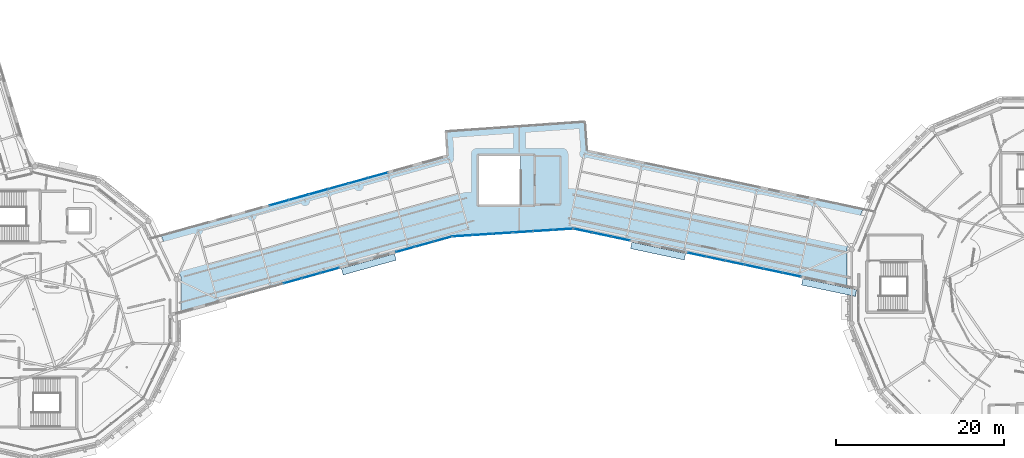
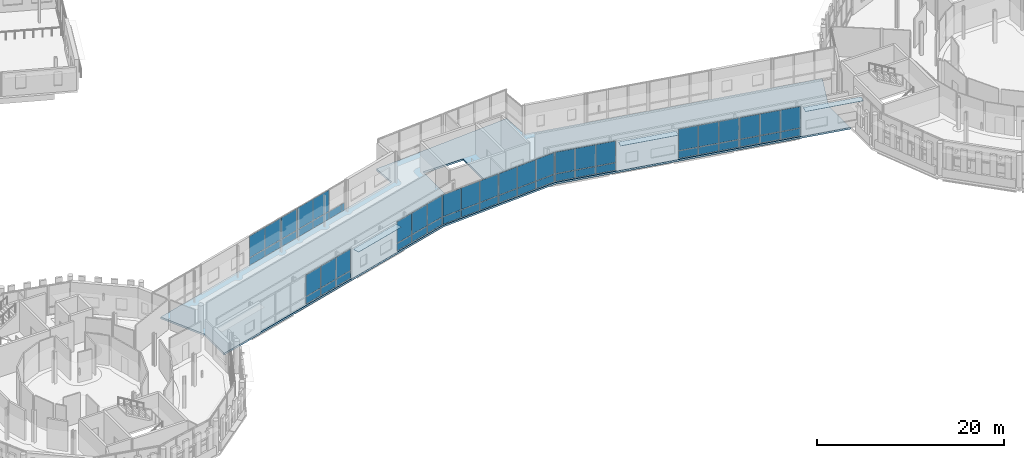
# One storey, part 72 of 125: 56 plates, 1 slab, 9 elements without a shape of their own.
"""IFC4 building model written with IfcOpenShell, lengths in metres."""

from ifc_helpers import new_model, si_unit, direction, frame, origin, origin_2d, place, context, subcontext, project, spatial, polyline, rectangle, outline, extrude, material, layer, layer_set, type_object, element, aggregate, save


model = new_model("IFC4")

# Units and contexts
model_context = context("Model", 3, precision=1e-05, world=origin(), true_north=direction((0.0, 1.0)))
body_context = subcontext(model_context, "Body", "Model", "MODEL_VIEW")
ifc_project = project(units=[si_unit("LENGTHUNIT", "METRE"), si_unit("AREAUNIT", "SQUARE_METRE"), si_unit("VOLUMEUNIT", "CUBIC_METRE"), si_unit("PLANEANGLEUNIT", "RADIAN"), si_unit("MASSUNIT", "GRAM", prefix="KILO")], contexts=[model_context])

# Site, building, storey
site_placement = place(None, origin())
site = spatial("IfcSite", under=ifc_project, at=site_placement, CompositionType="ELEMENT")
building_placement = place(site_placement, origin())
building = spatial("IfcBuilding", under=site, at=building_placement, Name="Wrenclough Park School", CompositionType="ELEMENT")
storey_placement = place(building_placement, frame((0.0, 0.0, 4.199951171875)))
storey = spatial("IfcBuildingStorey", under=building, at=storey_placement, Name="L01", CompositionType="ELEMENT", Elevation=4.199951171875)

# Curtain wall, plates
ifc_material_1 = material(Name="Thermally broken aluminium and low-e glass curtain wall", Category="aluminium")
curtain_wall_type_1 = type_object("IfcCurtainWallType", Name="ENV-CW-05", PredefinedType="USERDEFINED", material=ifc_material_1)
curtain_wall_1_placement = place(storey_placement, origin())
curtain_wall_1 = element("IfcCurtainWall", 1, at=curtain_wall_1_placement, inside=storey, type_object=curtain_wall_type_1, Name="L01 recessed curtain wall assembly 132", ObjectType="CURTAIN WALL", PredefinedType="USERDEFINED")
ifc_material_2 = material(Name="Double-glazed solar-control low-e glass", Category="glass")
ifc_layer_1 = layer(ifc_material_2, 0.02587890625)
ifc_layer_set_1 = layer_set([ifc_layer_1], Name="Double-glazed solar-control low-e glass")
plate_type_1 = type_object("IfcPlateType", Name="ENV-CWP-GL26", PredefinedType="CURTAIN_PANEL", material=ifc_layer_set_1)
plate_1_placement = place(storey_placement, frame((119.603759765625, 29.304443359375, 0.06005859375), z_axis=(0.0, 0.0, 1.0), x_axis=(-0.978380117237, 0.206814763004, 0.0)))
plate_1 = element("IfcPlate", 2, at=plate_1_placement, type_object=plate_type_1, Name="CW-05 panel 1.1", PredefinedType="CURTAIN_PANEL", context=body_context, shape_type="SweptSolid", body=[
    extrude(rectangle(XDim=2.213623046875, YDim=0.02587890625, at=origin_2d()), origin(), (0.0, 0.0, 1.0), 0.9599609375),
])
plate_2_placement = place(storey_placement, frame((119.603759765625, 29.304443359375, 1.080078125), z_axis=(0.0, 0.0, 1.0), x_axis=(-0.978380117237, 0.206814763004, 0.0)))
plate_2 = element("IfcPlate", 3, at=plate_2_placement, type_object=plate_type_1, Name="CW-05 panel 1.2", PredefinedType="CURTAIN_PANEL", context=body_context, shape_type="SweptSolid", body=[
    extrude(rectangle(XDim=2.213623046875, YDim=0.02587890625, at=origin_2d()), origin(), (0.0, 0.0, 1.0), 2.800048828125),
])
plate_3_placement = place(storey_placement, frame((117.364501953125, 29.77783203125, 0.06005859375), z_axis=(0.0, 0.0, 1.0), x_axis=(-0.978380117237, 0.206814763004, 0.0)))
plate_3 = element("IfcPlate", 4, at=plate_3_placement, type_object=plate_type_1, Name="CW-05 panel 2.1", PredefinedType="CURTAIN_PANEL", context=body_context, shape_type="SweptSolid", body=[
    extrude(rectangle(XDim=2.24365234375, YDim=0.02587890625, at=origin_2d()), origin(), (0.0, 0.0, 1.0), 0.9599609375),
])
plate_4_placement = place(storey_placement, frame((117.364501953125, 29.77783203125, 1.080078125), z_axis=(0.0, 0.0, 1.0), x_axis=(-0.978380117237, 0.206814763004, 0.0)))
plate_4 = element("IfcPlate", 5, at=plate_4_placement, type_object=plate_type_1, Name="CW-05 panel 2.2", PredefinedType="CURTAIN_PANEL", context=body_context, shape_type="SweptSolid", body=[
    extrude(rectangle(XDim=2.24365234375, YDim=0.02587890625, at=origin_2d()), origin(), (0.0, 0.0, 1.0), 2.800048828125),
])
plate_5_placement = place(storey_placement, frame((115.12548828125, 30.2509765625, 0.06005859375), z_axis=(0.0, 0.0, 1.0), x_axis=(-0.978380117237, 0.206814763004, 0.0)))
plate_5 = element("IfcPlate", 6, at=plate_5_placement, type_object=plate_type_1, Name="CW-05 panel 3.1", PredefinedType="CURTAIN_PANEL", context=body_context, shape_type="SweptSolid", body=[
    extrude(rectangle(XDim=2.213623046875, YDim=0.02587890625, at=origin_2d()), origin(), (0.0, 0.0, 1.0), 0.9599609375),
])
plate_6_placement = place(storey_placement, frame((115.12548828125, 30.2509765625, 1.080078125), z_axis=(0.0, 0.0, 1.0), x_axis=(-0.978380117237, 0.206814763004, 0.0)))
plate_6 = element("IfcPlate", 7, at=plate_6_placement, type_object=plate_type_1, Name="CW-05 panel 3.2", PredefinedType="CURTAIN_PANEL", context=body_context, shape_type="SweptSolid", body=[
    extrude(rectangle(XDim=2.213623046875, YDim=0.02587890625, at=origin_2d()), origin(), (0.0, 0.0, 1.0), 2.800048828125),
])
aggregate(curtain_wall_1, [plate_1, plate_2, plate_3, plate_4, plate_5, plate_6])

curtain_wall_type_2 = type_object("IfcCurtainWallType", Name="ENV-CW-09", PredefinedType="USERDEFINED", material=ifc_material_1)
curtain_wall_2_placement = place(storey_placement, origin())
curtain_wall_2 = element("IfcCurtainWall", 8, at=curtain_wall_2_placement, inside=storey, type_object=curtain_wall_type_2, Name="L01 recessed curtain wall assembly 136", ObjectType="CURTAIN WALL", PredefinedType="USERDEFINED")
plate_7_placement = place(storey_placement, frame((84.9072265625, 32.112060546875, 0.06494140625), z_axis=(0.0, 0.0, 1.0), x_axis=(-0.963398731282, -0.268072536011, 0.0)))
plate_7 = element("IfcPlate", 9, at=plate_7_placement, type_object=plate_type_1, Name="CW-09 panel 1.1", PredefinedType="CURTAIN_PANEL", context=body_context, shape_type="SweptSolid", body=[
    extrude(rectangle(XDim=2.21630859375, YDim=0.02587890625, at=origin_2d()), origin(), (0.0, 0.0, 1.0), 0.952392578125),
])
plate_8_placement = place(storey_placement, frame((84.9072265625, 32.112060546875, 1.08251953125), z_axis=(0.0, 0.0, 1.0), x_axis=(-0.963398731282, -0.268072536011, 0.0)))
plate_8 = element("IfcPlate", 10, at=plate_8_placement, type_object=plate_type_1, Name="CW-09 panel 1.2", PredefinedType="CURTAIN_PANEL", context=body_context, shape_type="SweptSolid", body=[
    extrude(rectangle(XDim=2.21630859375, YDim=0.02587890625, at=origin_2d()), origin(), (0.0, 0.0, 1.0), 2.79248046875),
])
plate_9_placement = place(storey_placement, frame((82.69384765625, 31.49609375, 0.06494140625), z_axis=(0.0, 0.0, 1.0), x_axis=(-0.963398731282, -0.268072536011, 0.0)))
plate_9 = element("IfcPlate", 11, at=plate_9_placement, type_object=plate_type_1, Name="CW-09 panel 2.1", PredefinedType="CURTAIN_PANEL", context=body_context, shape_type="SweptSolid", body=[
    extrude(rectangle(XDim=2.2490234375, YDim=0.02587890625, at=origin_2d()), origin(), (0.0, 0.0, 1.0), 0.952392578125),
])
plate_10_placement = place(storey_placement, frame((82.69384765625, 31.49609375, 1.08251953125), z_axis=(0.0, 0.0, 1.0), x_axis=(-0.963398731282, -0.268072536011, 0.0)))
plate_10 = element("IfcPlate", 12, at=plate_10_placement, type_object=plate_type_1, Name="CW-09 panel 2.2", PredefinedType="CURTAIN_PANEL", context=body_context, shape_type="SweptSolid", body=[
    extrude(rectangle(XDim=2.2490234375, YDim=0.02587890625, at=origin_2d()), origin(), (0.0, 0.0, 1.0), 2.79248046875),
])
plate_11_placement = place(storey_placement, frame((80.480224609375, 30.880126953125, 0.06494140625), z_axis=(0.0, 0.0, 1.0), x_axis=(-0.963398731282, -0.268072536011, 0.0)))
plate_11 = element("IfcPlate", 13, at=plate_11_placement, type_object=plate_type_1, Name="CW-09 panel 3.1", PredefinedType="CURTAIN_PANEL", context=body_context, shape_type="SweptSolid", body=[
    extrude(rectangle(XDim=2.21630859375, YDim=0.02587890625, at=origin_2d()), origin(), (0.0, 0.0, 1.0), 0.952392578125),
])
plate_12_placement = place(storey_placement, frame((80.480224609375, 30.880126953125, 1.08251953125), z_axis=(0.0, 0.0, 1.0), x_axis=(-0.963398731282, -0.268072536011, 0.0)))
plate_12 = element("IfcPlate", 14, at=plate_12_placement, type_object=plate_type_1, Name="CW-09 panel 3.2", PredefinedType="CURTAIN_PANEL", context=body_context, shape_type="SweptSolid", body=[
    extrude(rectangle(XDim=2.21630859375, YDim=0.02587890625, at=origin_2d()), origin(), (0.0, 0.0, 1.0), 2.79248046875),
])
aggregate(curtain_wall_2, [plate_7, plate_8, plate_9, plate_10, plate_11, plate_12])

curtain_wall_type_3 = type_object("IfcCurtainWallType", Name="ENV-CW-01", PredefinedType="USERDEFINED", material=ifc_material_1)
curtain_wall_3_placement = place(storey_placement, origin())
curtain_wall_3 = element("IfcCurtainWall", 15, at=curtain_wall_3_placement, inside=storey, type_object=curtain_wall_type_3, Name="L01 recessed curtain wall assembly 144", ObjectType="CURTAIN WALL", PredefinedType="USERDEFINED")
plate_13_placement = place(storey_placement, frame((72.561767578125, 38.392333984375, 0.06005859375), z_axis=(0.0, 0.0, 1.0), x_axis=(0.963396230426, 0.268081523423, 0.0)))
plate_13 = element("IfcPlate", 16, at=plate_13_placement, type_object=plate_type_1, Name="CW-01 panel 1.1", PredefinedType="CURTAIN_PANEL", context=body_context, shape_type="SweptSolid", body=[
    extrude(rectangle(XDim=2.353271484375, YDim=0.02587890625, at=origin_2d()), origin(), (0.0, 0.0, 1.0), 0.9599609375),
])
plate_14_placement = place(storey_placement, frame((72.561767578125, 38.392333984375, 1.080078125), z_axis=(0.0, 0.0, 1.0), x_axis=(0.963396230426, 0.268081523423, 0.0)))
plate_14 = element("IfcPlate", 17, at=plate_14_placement, type_object=plate_type_1, Name="CW-01 panel 1.2", PredefinedType="CURTAIN_PANEL", context=body_context, shape_type="SweptSolid", body=[
    extrude(rectangle(XDim=2.353271484375, YDim=0.02587890625, at=origin_2d()), origin(), (0.0, 0.0, 1.0), 2.800048828125),
])
plate_15_placement = place(storey_placement, frame((74.90087890625, 39.04345703125, 0.06005859375), z_axis=(0.0, 0.0, 1.0), x_axis=(0.963396230426, 0.268081523423, 0.0)))
plate_15 = element("IfcPlate", 18, at=plate_15_placement, type_object=plate_type_1, Name="CW-01 panel 2.1", PredefinedType="CURTAIN_PANEL", context=body_context, shape_type="SweptSolid", body=[
    extrude(rectangle(XDim=2.383056640625, YDim=0.02587890625, at=origin_2d()), origin(), (0.0, 0.0, 1.0), 0.9599609375),
])
plate_16_placement = place(storey_placement, frame((74.90087890625, 39.04345703125, 1.080078125), z_axis=(0.0, 0.0, 1.0), x_axis=(0.963396230426, 0.268081523423, 0.0)))
plate_16 = element("IfcPlate", 19, at=plate_16_placement, type_object=plate_type_1, Name="CW-01 panel 2.2", PredefinedType="CURTAIN_PANEL", context=body_context, shape_type="SweptSolid", body=[
    extrude(rectangle(XDim=2.383056640625, YDim=0.02587890625, at=origin_2d()), origin(), (0.0, 0.0, 1.0), 2.800048828125),
])
plate_17_placement = place(storey_placement, frame((77.240234375, 39.6943359375, 0.06005859375), z_axis=(0.0, 0.0, 1.0), x_axis=(0.963396230426, 0.268081523423, 0.0)))
plate_17 = element("IfcPlate", 20, at=plate_17_placement, type_object=plate_type_1, Name="CW-01 panel 3.1", PredefinedType="CURTAIN_PANEL", context=body_context, shape_type="SweptSolid", body=[
    extrude(rectangle(XDim=2.353271484375, YDim=0.02587890625, at=origin_2d()), origin(), (0.0, 0.0, 1.0), 0.9599609375),
])
aggregate(curtain_wall_3, [plate_13, plate_14, plate_15, plate_16, plate_17])

curtain_wall_type_4 = type_object("IfcCurtainWallType", Name="ENV-CW-10", PredefinedType="USERDEFINED", material=ifc_material_1)
curtain_wall_4_placement = place(storey_placement, origin())
curtain_wall_4 = element("IfcCurtainWall", 21, at=curtain_wall_4_placement, inside=storey, type_object=curtain_wall_type_4, Name="L01 recessed curtain wall assembly 137", ObjectType="CURTAIN WALL", PredefinedType="USERDEFINED")
ifc_material_3 = material(Name="Double-glazed acoustic low-e glass", Category="glass")
ifc_layer_2 = layer(ifc_material_3, 0.030029296875)
ifc_layer_set_2 = layer_set([ifc_layer_2], Name="Double-glazed acoustic low-e glass")
plate_type_2 = type_object("IfcPlateType", Name="ENV-CWP-GL30", PredefinedType="CURTAIN_PANEL", material=ifc_layer_set_2)
plate_18_placement = place(storey_placement, frame((71.51513671875, 28.385498046875, 0.06982421875), z_axis=(0.0, 0.0, 1.0), x_axis=(-0.96340245159, -0.268059165615, 0.0)))
plate_18 = element("IfcPlate", 22, at=plate_18_placement, type_object=plate_type_2, Name="CW-10 panel 1.1", PredefinedType="CURTAIN_PANEL", context=body_context, shape_type="SweptSolid", body=[
    extrude(rectangle(XDim=2.208984375, YDim=0.030029296875, at=origin_2d()), origin(), (0.0, 0.0, 1.0), 0.945068359375),
])
plate_19_placement = place(storey_placement, frame((71.51513671875, 28.385498046875, 1.0849609375), z_axis=(0.0, 0.0, 1.0), x_axis=(-0.96340245159, -0.268059165615, 0.0)))
plate_19 = element("IfcPlate", 23, at=plate_19_placement, type_object=plate_type_2, Name="CW-10 panel 1.2", PredefinedType="CURTAIN_PANEL", context=body_context, shape_type="SweptSolid", body=[
    extrude(rectangle(XDim=2.208984375, YDim=0.030029296875, at=origin_2d()), origin(), (0.0, 0.0, 1.0), 2.784912109375),
])
plate_20_placement = place(storey_placement, frame((69.302734375, 27.77001953125, 0.06982421875), z_axis=(0.0, 0.0, 1.0), x_axis=(-0.96340245159, -0.268059165615, 0.0)))
plate_20 = element("IfcPlate", 24, at=plate_20_placement, type_object=plate_type_2, Name="CW-10 panel 2.1", PredefinedType="CURTAIN_PANEL", context=body_context, shape_type="SweptSolid", body=[
    extrude(rectangle(XDim=2.243896484375, YDim=0.030029296875, at=origin_2d()), origin(), (0.0, 0.0, 1.0), 0.945068359375),
])
plate_21_placement = place(storey_placement, frame((69.302734375, 27.77001953125, 1.0849609375), z_axis=(0.0, 0.0, 1.0), x_axis=(-0.96340245159, -0.268059165615, 0.0)))
plate_21 = element("IfcPlate", 25, at=plate_21_placement, type_object=plate_type_2, Name="CW-10 panel 2.2", PredefinedType="CURTAIN_PANEL", context=body_context, shape_type="SweptSolid", body=[
    extrude(rectangle(XDim=2.243896484375, YDim=0.030029296875, at=origin_2d()), origin(), (0.0, 0.0, 1.0), 2.784912109375),
])
plate_22_placement = place(storey_placement, frame((67.09033203125, 27.154296875, 0.06982421875), z_axis=(0.0, 0.0, 1.0), x_axis=(-0.96340245159, -0.268059165615, 0.0)))
plate_22 = element("IfcPlate", 26, at=plate_22_placement, type_object=plate_type_2, Name="CW-10 panel 3.1", PredefinedType="CURTAIN_PANEL", context=body_context, shape_type="SweptSolid", body=[
    extrude(rectangle(XDim=2.208984375, YDim=0.030029296875, at=origin_2d()), origin(), (0.0, 0.0, 1.0), 0.945068359375),
])
plate_23_placement = place(storey_placement, frame((67.09033203125, 27.154296875, 1.0849609375), z_axis=(0.0, 0.0, 1.0), x_axis=(-0.96340245159, -0.268059165615, 0.0)))
plate_23 = element("IfcPlate", 27, at=plate_23_placement, type_object=plate_type_2, Name="CW-10 panel 3.2", PredefinedType="CURTAIN_PANEL", context=body_context, shape_type="SweptSolid", body=[
    extrude(rectangle(XDim=2.208984375, YDim=0.030029296875, at=origin_2d()), origin(), (0.0, 0.0, 1.0), 2.784912109375),
])
aggregate(curtain_wall_4, [plate_18, plate_19, plate_20, plate_21, plate_22, plate_23])

curtain_wall_type_5 = type_object("IfcCurtainWallType", Name="ENV-CW-04", PredefinedType="USERDEFINED", material=ifc_material_1)
curtain_wall_5_placement = place(storey_placement, origin())
curtain_wall_5 = element("IfcCurtainWall", 28, at=curtain_wall_5_placement, inside=storey, type_object=curtain_wall_type_5, Name="L01 recessed curtain wall assembly 131", ObjectType="CURTAIN WALL", PredefinedType="USERDEFINED")
ifc_material_4 = material(Name="Laminated sports-concourse safety glass", Category="glass")
ifc_layer_3 = layer(ifc_material_4, 0.0380859375)
ifc_layer_set_3 = layer_set([ifc_layer_3], Name="Laminated sports-concourse safety glass")
plate_type_3 = type_object("IfcPlateType", Name="ENV-CWP-GL38", PredefinedType="CURTAIN_PANEL", material=ifc_layer_set_3)
plate_24_placement = place(storey_placement, frame((126.37060546875, 27.8740234375, 0.06982421875), z_axis=(0.0, 0.0, 1.0), x_axis=(-0.97837949832, 0.206817690897, 0.0)))
plate_24 = element("IfcPlate", 29, at=plate_24_placement, type_object=plate_type_3, Name="CW-04 panel 1.1", PredefinedType="CURTAIN_PANEL", context=body_context, shape_type="SweptSolid", body=[
    extrude(rectangle(XDim=2.19873046875, YDim=0.0380859375, at=origin_2d()), origin(), (0.0, 0.0, 1.0), 0.945068359375),
])
plate_25_placement = place(storey_placement, frame((126.37060546875, 27.8740234375, 1.0849609375), z_axis=(0.0, 0.0, 1.0), x_axis=(-0.97837949832, 0.206817690897, 0.0)))
plate_25 = element("IfcPlate", 30, at=plate_25_placement, type_object=plate_type_3, Name="CW-04 panel 1.2", PredefinedType="CURTAIN_PANEL", context=body_context, shape_type="SweptSolid", body=[
    extrude(rectangle(XDim=2.19873046875, YDim=0.0380859375, at=origin_2d()), origin(), (0.0, 0.0, 1.0), 2.784912109375),
])
plate_26_placement = place(storey_placement, frame((124.134033203125, 28.346923828125, 0.06982421875), z_axis=(0.0, 0.0, 1.0), x_axis=(-0.97837949832, 0.206817690897, 0.0)))
plate_26 = element("IfcPlate", 31, at=plate_26_placement, type_object=plate_type_3, Name="CW-04 panel 2.1", PredefinedType="CURTAIN_PANEL", context=body_context, shape_type="SweptSolid", body=[
    extrude(rectangle(XDim=2.233642578125, YDim=0.0380859375, at=origin_2d()), origin(), (0.0, 0.0, 1.0), 0.945068359375),
])
plate_27_placement = place(storey_placement, frame((124.134033203125, 28.346923828125, 1.0849609375), z_axis=(0.0, 0.0, 1.0), x_axis=(-0.97837949832, 0.206817690897, 0.0)))
plate_27 = element("IfcPlate", 32, at=plate_27_placement, type_object=plate_type_3, Name="CW-04 panel 2.2", PredefinedType="CURTAIN_PANEL", context=body_context, shape_type="SweptSolid", body=[
    extrude(rectangle(XDim=2.233642578125, YDim=0.0380859375, at=origin_2d()), origin(), (0.0, 0.0, 1.0), 2.784912109375),
])
plate_28_placement = place(storey_placement, frame((121.897216796875, 28.819580078125, 0.06982421875), z_axis=(0.0, 0.0, 1.0), x_axis=(-0.97837949832, 0.206817690897, 0.0)))
plate_28 = element("IfcPlate", 33, at=plate_28_placement, type_object=plate_type_3, Name="CW-04 panel 3.1", PredefinedType="CURTAIN_PANEL", context=body_context, shape_type="SweptSolid", body=[
    extrude(rectangle(XDim=2.19873046875, YDim=0.0380859375, at=origin_2d()), origin(), (0.0, 0.0, 1.0), 0.945068359375),
])
plate_29_placement = place(storey_placement, frame((121.897216796875, 28.819580078125, 1.0849609375), z_axis=(0.0, 0.0, 1.0), x_axis=(-0.97837949832, 0.206817690897, 0.0)))
plate_29 = element("IfcPlate", 34, at=plate_29_placement, type_object=plate_type_3, Name="CW-04 panel 3.2", PredefinedType="CURTAIN_PANEL", context=body_context, shape_type="SweptSolid", body=[
    extrude(rectangle(XDim=2.19873046875, YDim=0.0380859375, at=origin_2d()), origin(), (0.0, 0.0, 1.0), 2.784912109375),
])
aggregate(curtain_wall_5, [plate_24, plate_25, plate_26, plate_27, plate_28, plate_29])

curtain_wall_type_6 = type_object("IfcCurtainWallType", Name="ENV-CW-06", PredefinedType="USERDEFINED", material=ifc_material_1)
curtain_wall_6_placement = place(storey_placement, origin())
curtain_wall_6 = element("IfcCurtainWall", 35, at=curtain_wall_6_placement, inside=storey, type_object=curtain_wall_type_6, Name="L01 recessed curtain wall assembly 133", ObjectType="CURTAIN WALL", PredefinedType="USERDEFINED")
ifc_material_5 = material(Name="Insulated anodised aluminium spandrel panel", Category="aluminium")
ifc_layer_4 = layer(ifc_material_5, 0.0419921875)
ifc_layer_set_4 = layer_set([ifc_layer_4], Name="Insulated anodised aluminium spandrel panel")
plate_type_4 = type_object("IfcPlateType", Name="ENV-CWP-SP42", PredefinedType="CURTAIN_PANEL", material=ifc_layer_set_4)
plate_30_placement = place(storey_placement, frame((106.06396484375, 32.16650390625, 0.06494140625), z_axis=(0.0, 0.0, 1.0), x_axis=(-0.97837949832, 0.206817690897, 0.0)))
plate_30 = element("IfcPlate", 36, at=plate_30_placement, type_object=plate_type_4, Name="CW-06 panel 1.1", PredefinedType="CURTAIN_PANEL", context=body_context, shape_type="SweptSolid", body=[
    extrude(rectangle(XDim=2.2060546875, YDim=0.0419921875, at=origin_2d()), origin(), (0.0, 0.0, 1.0), 0.952392578125),
])
plate_31_placement = place(storey_placement, frame((106.06396484375, 32.16650390625, 1.08251953125), z_axis=(0.0, 0.0, 1.0), x_axis=(-0.97837949832, 0.206817690897, 0.0)))
plate_31 = element("IfcPlate", 37, at=plate_31_placement, type_object=plate_type_4, Name="CW-06 panel 1.2", PredefinedType="CURTAIN_PANEL", context=body_context, shape_type="SweptSolid", body=[
    extrude(rectangle(XDim=2.2060546875, YDim=0.0419921875, at=origin_2d()), origin(), (0.0, 0.0, 1.0), 2.79248046875),
])
plate_32_placement = place(storey_placement, frame((103.825927734375, 32.6396484375, 0.06494140625), z_axis=(0.0, 0.0, 1.0), x_axis=(-0.97837949832, 0.206817690897, 0.0)))
plate_32 = element("IfcPlate", 38, at=plate_32_placement, type_object=plate_type_4, Name="CW-06 panel 2.1", PredefinedType="CURTAIN_PANEL", context=body_context, shape_type="SweptSolid", body=[
    extrude(rectangle(XDim=2.238525390625, YDim=0.0419921875, at=origin_2d()), origin(), (0.0, 0.0, 1.0), 0.952392578125),
])
plate_33_placement = place(storey_placement, frame((103.825927734375, 32.6396484375, 1.08251953125), z_axis=(0.0, 0.0, 1.0), x_axis=(-0.97837949832, 0.206817690897, 0.0)))
plate_33 = element("IfcPlate", 39, at=plate_33_placement, type_object=plate_type_4, Name="CW-06 panel 2.2", PredefinedType="CURTAIN_PANEL", context=body_context, shape_type="SweptSolid", body=[
    extrude(rectangle(XDim=2.238525390625, YDim=0.0419921875, at=origin_2d()), origin(), (0.0, 0.0, 1.0), 2.79248046875),
])
plate_34_placement = place(storey_placement, frame((101.588134765625, 33.112548828125, 0.06494140625), z_axis=(0.0, 0.0, 1.0), x_axis=(-0.97837949832, 0.206817690897, 0.0)))
plate_34 = element("IfcPlate", 40, at=plate_34_placement, type_object=plate_type_4, Name="CW-06 panel 3.1", PredefinedType="CURTAIN_PANEL", context=body_context, shape_type="SweptSolid", body=[
    extrude(rectangle(XDim=2.2060546875, YDim=0.0419921875, at=origin_2d()), origin(), (0.0, 0.0, 1.0), 0.952392578125),
])
plate_35_placement = place(storey_placement, frame((101.588134765625, 33.112548828125, 1.08251953125), z_axis=(0.0, 0.0, 1.0), x_axis=(-0.97837949832, 0.206817690897, 0.0)))
plate_35 = element("IfcPlate", 41, at=plate_35_placement, type_object=plate_type_4, Name="CW-06 panel 3.2", PredefinedType="CURTAIN_PANEL", context=body_context, shape_type="SweptSolid", body=[
    extrude(rectangle(XDim=2.2060546875, YDim=0.0419921875, at=origin_2d()), origin(), (0.0, 0.0, 1.0), 2.79248046875),
])
aggregate(curtain_wall_6, [plate_30, plate_31, plate_32, plate_33, plate_34, plate_35])

curtain_wall_type_7 = type_object("IfcCurtainWallType", Name="ENV-CW-07", PredefinedType="USERDEFINED", material=ifc_material_1)
curtain_wall_7_placement = place(storey_placement, origin())
curtain_wall_7 = element("IfcCurtainWall", 42, at=curtain_wall_7_placement, inside=storey, type_object=curtain_wall_type_7, Name="L01 recessed curtain wall assembly 134", ObjectType="CURTAIN WALL", PredefinedType="USERDEFINED")
ifc_material_6 = material(Name="Insulated patinated copper-toned spandrel panel", Category="aluminium")
ifc_layer_5 = layer(ifc_material_6, 0.048095703125)
ifc_layer_set_5 = layer_set([ifc_layer_5], Name="Insulated patinated copper-toned spandrel panel")
plate_type_5 = type_object("IfcPlateType", Name="ENV-CWP-SP48", PredefinedType="CURTAIN_PANEL", material=ifc_layer_set_5)
plate_36_placement = place(storey_placement, frame((99.22119140625, 33.2763671875, 0.06982421875), z_axis=(0.0, 0.0, 1.0), x_axis=(-0.99793326733, -0.064258804509, 0.0)))
plate_36 = element("IfcPlate", 43, at=plate_36_placement, type_object=plate_type_5, Name="CW-07 panel 1.1", PredefinedType="CURTAIN_PANEL", context=body_context, shape_type="SweptSolid", body=[
    extrude(rectangle(XDim=2.29736328125, YDim=0.048095703125, at=origin_2d()), origin(), (0.0, 0.0, 1.0), 0.945068359375),
])
plate_37_placement = place(storey_placement, frame((99.22119140625, 33.2763671875, 1.0849609375), z_axis=(0.0, 0.0, 1.0), x_axis=(-0.99793326733, -0.064258804509, 0.0)))
plate_37 = element("IfcPlate", 44, at=plate_37_placement, type_object=plate_type_5, Name="CW-07 panel 1.2", PredefinedType="CURTAIN_PANEL", context=body_context, shape_type="SweptSolid", body=[
    extrude(rectangle(XDim=2.29736328125, YDim=0.048095703125, at=origin_2d()), origin(), (0.0, 0.0, 1.0), 2.784912109375),
])
plate_38_placement = place(storey_placement, frame((96.84130859375, 33.123046875, 0.06982421875), z_axis=(0.0, 0.0, 1.0), x_axis=(-0.99793326733, -0.064258804509, 0.0)))
plate_38 = element("IfcPlate", 45, at=plate_38_placement, type_object=plate_type_5, Name="CW-07 panel 2.1", PredefinedType="CURTAIN_PANEL", context=body_context, shape_type="SweptSolid", body=[
    extrude(rectangle(XDim=2.332275390625, YDim=0.048095703125, at=origin_2d()), origin(), (0.0, 0.0, 1.0), 0.945068359375),
])
plate_39_placement = place(storey_placement, frame((96.84130859375, 33.123046875, 1.0849609375), z_axis=(0.0, 0.0, 1.0), x_axis=(-0.99793326733, -0.064258804509, 0.0)))
plate_39 = element("IfcPlate", 46, at=plate_39_placement, type_object=plate_type_5, Name="CW-07 panel 2.2", PredefinedType="CURTAIN_PANEL", context=body_context, shape_type="SweptSolid", body=[
    extrude(rectangle(XDim=2.332275390625, YDim=0.048095703125, at=origin_2d()), origin(), (0.0, 0.0, 1.0), 2.784912109375),
])
plate_40_placement = place(storey_placement, frame((94.46142578125, 32.969970703125, 0.06982421875), z_axis=(0.0, 0.0, 1.0), x_axis=(-0.99793326733, -0.064258804509, 0.0)))
plate_40 = element("IfcPlate", 47, at=plate_40_placement, type_object=plate_type_5, Name="CW-07 panel 3.1", PredefinedType="CURTAIN_PANEL", context=body_context, shape_type="SweptSolid", body=[
    extrude(rectangle(XDim=2.29736328125, YDim=0.048095703125, at=origin_2d()), origin(), (0.0, 0.0, 1.0), 0.945068359375),
])
plate_41_placement = place(storey_placement, frame((94.46142578125, 32.969970703125, 1.0849609375), z_axis=(0.0, 0.0, 1.0), x_axis=(-0.99793326733, -0.064258804509, 0.0)))
plate_41 = element("IfcPlate", 48, at=plate_41_placement, type_object=plate_type_5, Name="CW-07 panel 3.2", PredefinedType="CURTAIN_PANEL", context=body_context, shape_type="SweptSolid", body=[
    extrude(rectangle(XDim=2.29736328125, YDim=0.048095703125, at=origin_2d()), origin(), (0.0, 0.0, 1.0), 2.784912109375),
])
aggregate(curtain_wall_7, [plate_36, plate_37, plate_38, plate_39, plate_40, plate_41])

curtain_wall_type_8 = type_object("IfcCurtainWallType", Name="ENV-CW-08", PredefinedType="USERDEFINED", material=ifc_material_1)
curtain_wall_8_placement = place(storey_placement, origin())
curtain_wall_8 = element("IfcCurtainWall", 49, at=curtain_wall_8_placement, inside=storey, type_object=curtain_wall_type_8, Name="L01 recessed curtain wall assembly 135", ObjectType="CURTAIN WALL", PredefinedType="USERDEFINED")
ifc_material_7 = material(Name="Acoustic mineral-wool spandrel cassette", Category="aluminium")
ifc_layer_6 = layer(ifc_material_7, 0.053955078125)
ifc_layer_set_6 = layer_set([ifc_layer_6], Name="Acoustic mineral-wool spandrel cassette")
plate_type_6 = type_object("IfcPlateType", Name="ENV-CWP-SP54", PredefinedType="CURTAIN_PANEL", material=ifc_layer_set_6)
plate_42_placement = place(storey_placement, frame((92.023681640625, 32.812744140625, 0.06005859375), z_axis=(0.0, 0.0, 1.0), x_axis=(-0.99793326733, -0.064258804509, 0.0)))
plate_42 = element("IfcPlate", 50, at=plate_42_placement, type_object=plate_type_6, Name="CW-08 panel 1.1", PredefinedType="CURTAIN_PANEL", context=body_context, shape_type="SweptSolid", body=[
    extrude(rectangle(XDim=2.312255859375, YDim=0.053955078125, at=origin_2d()), origin(), (0.0, 0.0, 1.0), 0.9599609375),
])
plate_43_placement = place(storey_placement, frame((92.023681640625, 32.812744140625, 1.080078125), z_axis=(0.0, 0.0, 1.0), x_axis=(-0.99793326733, -0.064258804509, 0.0)))
plate_43 = element("IfcPlate", 51, at=plate_43_placement, type_object=plate_type_6, Name="CW-08 panel 1.2", PredefinedType="CURTAIN_PANEL", context=body_context, shape_type="SweptSolid", body=[
    extrude(rectangle(XDim=2.312255859375, YDim=0.053955078125, at=origin_2d()), origin(), (0.0, 0.0, 1.0), 2.800048828125),
])
plate_44_placement = place(storey_placement, frame((89.641357421875, 32.659423828125, 0.06005859375), z_axis=(0.0, 0.0, 1.0), x_axis=(-0.99793326733, -0.064258804509, 0.0)))
plate_44 = element("IfcPlate", 52, at=plate_44_placement, type_object=plate_type_6, Name="CW-08 panel 2.1", PredefinedType="CURTAIN_PANEL", context=body_context, shape_type="SweptSolid", body=[
    extrude(rectangle(XDim=2.34228515625, YDim=0.053955078125, at=origin_2d()), origin(), (0.0, 0.0, 1.0), 0.9599609375),
])
plate_45_placement = place(storey_placement, frame((89.641357421875, 32.659423828125, 1.080078125), z_axis=(0.0, 0.0, 1.0), x_axis=(-0.99793326733, -0.064258804509, 0.0)))
plate_45 = element("IfcPlate", 53, at=plate_45_placement, type_object=plate_type_6, Name="CW-08 panel 2.2", PredefinedType="CURTAIN_PANEL", context=body_context, shape_type="SweptSolid", body=[
    extrude(rectangle(XDim=2.34228515625, YDim=0.053955078125, at=origin_2d()), origin(), (0.0, 0.0, 1.0), 2.800048828125),
])
plate_46_placement = place(storey_placement, frame((87.259033203125, 32.506103515625, 0.06005859375), z_axis=(0.0, 0.0, 1.0), x_axis=(-0.99793326733, -0.064258804509, 0.0)))
plate_46 = element("IfcPlate", 54, at=plate_46_placement, type_object=plate_type_6, Name="CW-08 panel 3.1", PredefinedType="CURTAIN_PANEL", context=body_context, shape_type="SweptSolid", body=[
    extrude(rectangle(XDim=2.312255859375, YDim=0.053955078125, at=origin_2d()), origin(), (0.0, 0.0, 1.0), 0.9599609375),
])
plate_47_placement = place(storey_placement, frame((87.259033203125, 32.506103515625, 1.080078125), z_axis=(0.0, 0.0, 1.0), x_axis=(-0.99793326733, -0.064258804509, 0.0)))
plate_47 = element("IfcPlate", 55, at=plate_47_placement, type_object=plate_type_6, Name="CW-08 panel 3.2", PredefinedType="CURTAIN_PANEL", context=body_context, shape_type="SweptSolid", body=[
    extrude(rectangle(XDim=2.312255859375, YDim=0.053955078125, at=origin_2d()), origin(), (0.0, 0.0, 1.0), 2.800048828125),
])
aggregate(curtain_wall_8, [plate_42, plate_43, plate_44, plate_45, plate_46, plate_47])

curtain_wall_type_9 = type_object("IfcCurtainWallType", Name="ENV-CW-16", PredefinedType="USERDEFINED", material=ifc_material_1)
curtain_wall_9_placement = place(storey_placement, origin())
curtain_wall_9 = element("IfcCurtainWall", 56, at=curtain_wall_9_placement, inside=storey, type_object=curtain_wall_type_9, Name="L01 recessed curtain wall assembly 143", ObjectType="CURTAIN WALL", PredefinedType="USERDEFINED")
plate_48_placement = place(storey_placement, frame((65.4951171875, 36.426025390625, 0.06982421875), z_axis=(0.0, 0.0, 1.0), x_axis=(0.963398773592, 0.268072383958, 0.0)))
plate_48 = element("IfcPlate", 57, at=plate_48_placement, type_object=plate_type_6, Name="CW-16 panel 1.1", PredefinedType="CURTAIN_PANEL", context=body_context, shape_type="SweptSolid", body=[
    extrude(rectangle(XDim=2.338134765625, YDim=0.053955078125, at=origin_2d()), origin(), (0.0, 0.0, 1.0), 0.945068359375),
])
plate_49_placement = place(storey_placement, frame((65.4951171875, 36.426025390625, 1.0849609375), z_axis=(0.0, 0.0, 1.0), x_axis=(0.963398773592, 0.268072383958, 0.0)))
plate_49 = element("IfcPlate", 58, at=plate_49_placement, type_object=plate_type_6, Name="CW-16 panel 1.2", PredefinedType="CURTAIN_PANEL", context=body_context, shape_type="SweptSolid", body=[
    extrude(rectangle(XDim=2.338134765625, YDim=0.053955078125, at=origin_2d()), origin(), (0.0, 0.0, 1.0), 2.784912109375),
])
plate_50_placement = place(storey_placement, frame((67.83203125, 37.076416015625, 0.06982421875), z_axis=(0.0, 0.0, 1.0), x_axis=(0.963398773592, 0.268072383958, 0.0)))
plate_50 = element("IfcPlate", 59, at=plate_50_placement, type_object=plate_type_6, Name="CW-16 panel 2.1", PredefinedType="CURTAIN_PANEL", context=body_context, shape_type="SweptSolid", body=[
    extrude(rectangle(XDim=2.373046875, YDim=0.053955078125, at=origin_2d()), origin(), (0.0, 0.0, 1.0), 0.945068359375),
])
plate_51_placement = place(storey_placement, frame((67.83203125, 37.076416015625, 1.0849609375), z_axis=(0.0, 0.0, 1.0), x_axis=(0.963398773592, 0.268072383958, 0.0)))
plate_51 = element("IfcPlate", 60, at=plate_51_placement, type_object=plate_type_6, Name="CW-16 panel 2.2", PredefinedType="CURTAIN_PANEL", context=body_context, shape_type="SweptSolid", body=[
    extrude(rectangle(XDim=2.373046875, YDim=0.053955078125, at=origin_2d()), origin(), (0.0, 0.0, 1.0), 2.784912109375),
])
plate_52_placement = place(storey_placement, frame((70.1689453125, 37.7265625, 0.06982421875), z_axis=(0.0, 0.0, 1.0), x_axis=(0.963398773592, 0.268072383958, 0.0)))
plate_52 = element("IfcPlate", 61, at=plate_52_placement, type_object=plate_type_6, Name="CW-16 panel 3.1", PredefinedType="CURTAIN_PANEL", context=body_context, shape_type="SweptSolid", body=[
    extrude(rectangle(XDim=2.338134765625, YDim=0.053955078125, at=origin_2d()), origin(), (0.0, 0.0, 1.0), 0.945068359375),
])
plate_53_placement = place(storey_placement, frame((70.1689453125, 37.7265625, 1.0849609375), z_axis=(0.0, 0.0, 1.0), x_axis=(0.963398773592, 0.268072383958, 0.0)))
plate_53 = element("IfcPlate", 62, at=plate_53_placement, type_object=plate_type_6, Name="CW-16 panel 3.2", PredefinedType="CURTAIN_PANEL", context=body_context, shape_type="SweptSolid", body=[
    extrude(rectangle(XDim=2.338134765625, YDim=0.053955078125, at=origin_2d()), origin(), (0.0, 0.0, 1.0), 2.784912109375),
])
aggregate(curtain_wall_9, [plate_48, plate_49, plate_50, plate_51, plate_52, plate_53])

# Plates
ifc_material_8 = material(Name="Anodised architectural aluminium solar shading fin plate", Category="aluminium")
ifc_layer_7 = layer(ifc_material_8, 0.0380859375)
ifc_layer_set_7 = layer_set([ifc_layer_7], Name="Anodised architectural aluminium solar shading fin plate")
plate_type_7 = type_object("IfcPlateType", Name="ENV-PL-BSF", PredefinedType="SHEET", material=ifc_layer_set_7)
for number, where, z_axis, x_axis, name in (
    (63, (130.7890625, 26.37548828125, 3.720947265625), (0.0, 0.0, 1.0), (-0.978380926252, 0.206810935751, 0.0), "L01 link wing sun-side brise-soleil blade 0158"),
    (64, (110.48779296875, 30.699951171875, 3.720947265625), (0.0, 0.0, 1.0), (-0.978380926252, 0.206810935751, 0.0), "L01 link wing sun-side brise-soleil blade 0159"),
):
    element("IfcPlate", number, at=place(storey_placement, frame(where, z_axis=z_axis, x_axis=x_axis)), inside=storey, type_object=plate_type_7, Name=name, PredefinedType="SHEET", context=body_context, shape_type="SweptSolid", body=[
        extrude(rectangle(XDim=6.518798828125, YDim=0.800048828125, at=origin_2d()), origin(), (0.0, 0.0, 1.0), 0.0380859375),
    ])
plate_54_placement = place(storey_placement, frame((76.140869140625, 29.119873046875, 3.720947265625), z_axis=(0.0, 0.0, 1.0), x_axis=(-0.963398665551, -0.268072772238, 0.0)))
element("IfcPlate", 65, at=plate_54_placement, inside=storey, type_object=plate_type_7, Name="L01 link wing sun-side brise-soleil blade 0160", PredefinedType="SHEET", context=body_context, shape_type="SweptSolid", body=[
    extrude(rectangle(XDim=6.550048828125, YDim=0.800048828125, at=origin_2d()), origin(), (0.0, 0.0, 1.0), 0.0380859375),
])

# Slab
ifc_material_9 = material(Name="Concrete C32/40", Category="concrete")
ifc_layer_8 = layer(ifc_material_9, 0.239990234375)
ifc_layer_set_8 = layer_set([ifc_layer_8], Name="Concrete C32/40")
slab_type = type_object("IfcSlabType", Name="STR-SL-FL240", PredefinedType="FLOOR", material=ifc_layer_set_8)
slab_placement = place(storey_placement, frame((0.0, 0.0, -0.239990234375)))
element("IfcSlab", 66, at=slab_placement, inside=storey, type_object=slab_type, Name="W12 L01 structural slab SLAB-W12-L01", PredefinedType="FLOOR", context=body_context, shape_type="SweptSolid", body=[
    extrude(outline(polyline([(100.432861328125, 33.234130859375), (132.891845703125, 26.372802734375), (132.892822265625, 30.996826171875), (134.867919921875, 35.767333984375), (102.17724609375, 42.677490234375), (101.93310546875, 46.17041015625), (85.174072265625, 44.99853515625), (85.3779296875, 42.083251953125), (51.418212890625, 32.633544921875), (53.90185546875, 27.47412109375), (53.90380859375, 23.3603515625), (86.061279296875, 32.30859375), (100.432861328125, 33.234130859375)]), holes=[polyline([(89.199951171875, 36.199951171875), (94.152099609375, 36.199951171875), (94.152099609375, 42.0), (89.199951171875, 42.0), (89.199951171875, 36.199951171875)])]), origin(), (0.0, 0.0, 1.0), 0.239990234375),
])

save(model, "model.ifc")
